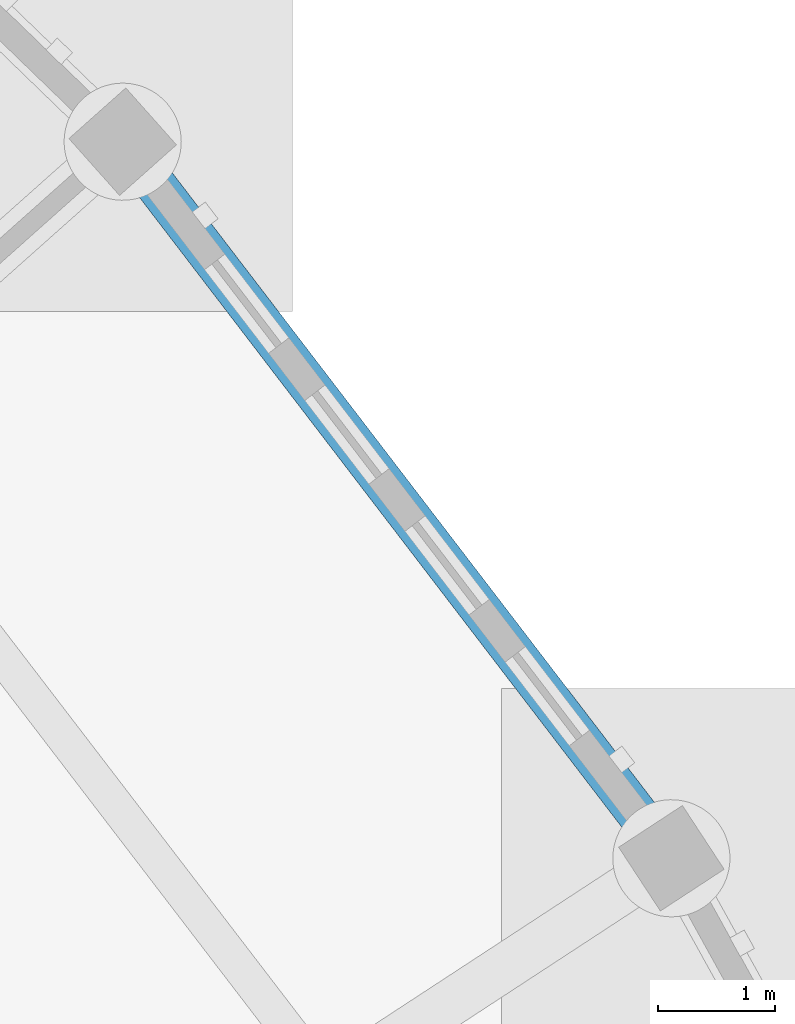
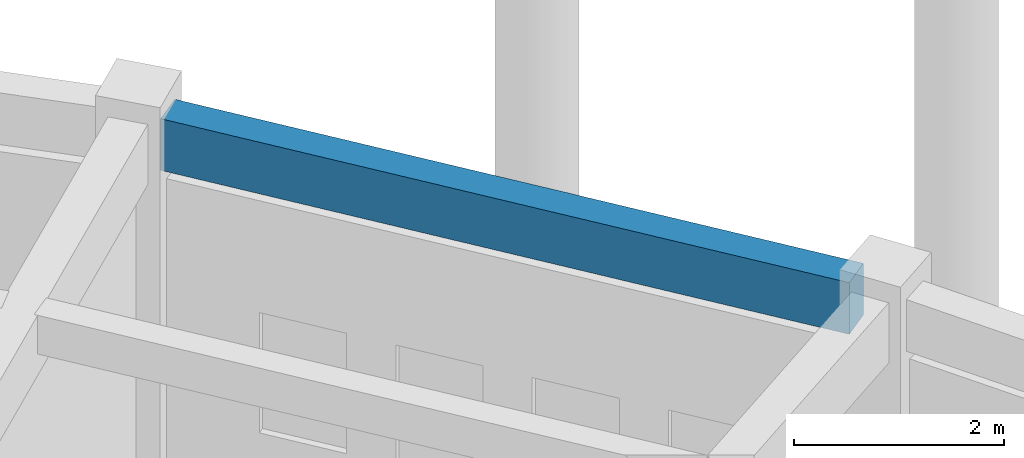
# One storey, part 96 of 153: 1 beam.
"""IFC4 building model written with IfcOpenShell, lengths in metres."""

from ifc_helpers import new_model, si_unit, direction, frame, origin, origin_2d, place, context, subcontext, project, spatial, rectangle, extrude, material, material_profile, profile_set, type_object, element, save


model = new_model("IFC4")

# Units and contexts
model_context = context("Model", 3, precision=1e-05, world=origin(), true_north=direction((0.0, 1.0)))
body_context = subcontext(model_context, "Body", "Model", "MODEL_VIEW")
ifc_project = project(units=[si_unit("LENGTHUNIT", "METRE"), si_unit("AREAUNIT", "SQUARE_METRE"), si_unit("VOLUMEUNIT", "CUBIC_METRE"), si_unit("PLANEANGLEUNIT", "RADIAN"), si_unit("MASSUNIT", "GRAM", prefix="KILO")], contexts=[model_context])

# Site, building, storey
site_placement = place(None, origin())
site = spatial("IfcSite", under=ifc_project, at=site_placement, CompositionType="ELEMENT")
building_placement = place(site_placement, origin())
building = spatial("IfcBuilding", under=site, at=building_placement, Name="Celadon Cloister-Ring School", CompositionType="ELEMENT")
storey_placement = place(building_placement, origin())
storey = spatial("IfcBuildingStorey", under=building, at=storey_placement, Name="L00", CompositionType="ELEMENT", Elevation=0.0)

# Beam
ifc_material = material(Name="Concrete C35/45", Category="concrete")
ifc_material_profile = material_profile(ifc_material, rectangle(XDim=0.35009765625, YDim=0.60009765625, at=origin_2d()), Name="RC350X600")
ifc_profile_set = profile_set([ifc_material_profile], Name="Concrete C35/45")
beam_type = type_object("IfcBeamType", Name="SP-01", PredefinedType="SPANDREL", material=ifc_profile_set)
beam_placement = place(storey_placement, frame((130.333984375, 87.705078125, 3.97998046875), z_axis=(-0.608023888407, 0.793918730807, 0.0), x_axis=(-0.793918730807, -0.608023888407, 0.0)))
element("IfcBeam", 1, at=beam_placement, inside=storey, type_object=beam_type, Name="Beam 0187", PredefinedType="SPANDREL", context=body_context, shape_type="SweptSolid", body=[
    extrude(rectangle(XDim=0.35009765625, YDim=0.60009765625, at=origin_2d()), origin(), (0.0, 0.0, 1.0), 7.10498046875),
])

save(model, "model.ifc")
